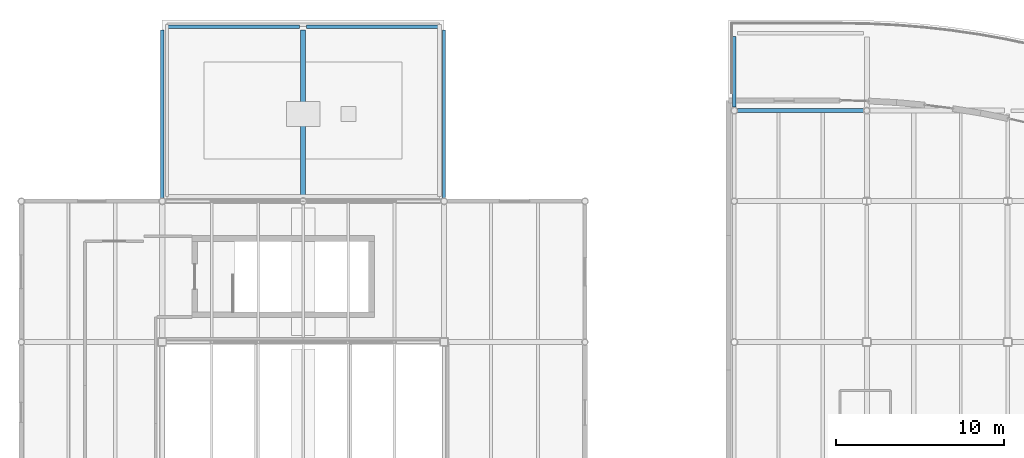
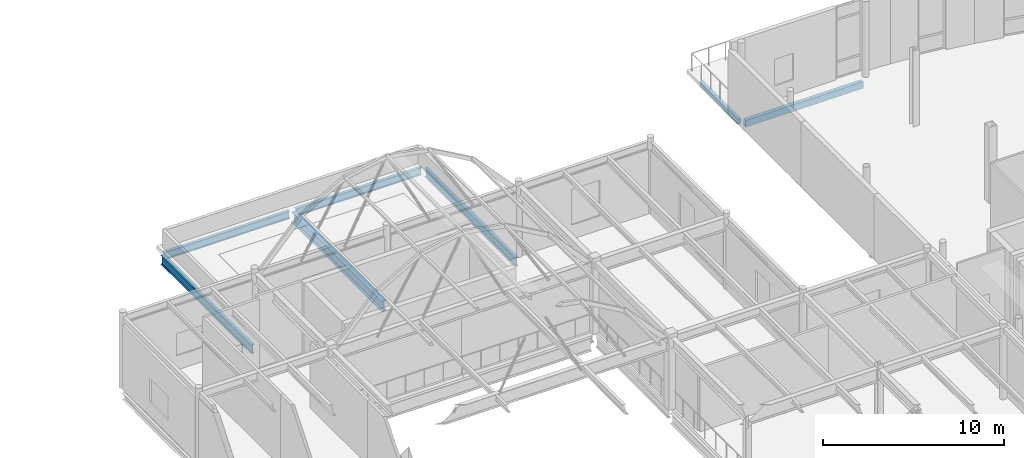
# One storey, part 35 of 103: 7 beams.
"""IFC4 building model written with IfcOpenShell, lengths in metres."""

from ifc_helpers import new_model, si_unit, direction, frame, origin, origin_2d, place, context, subcontext, project, spatial, hollow_rectangle, i_section, extrude, material, material_profile, profile_set, type_object, element, save


model = new_model("IFC4")

# Units and contexts
model_context = context("Model", 3, precision=1e-05, world=origin(), true_north=direction((0.0, 1.0)))
body_context = subcontext(model_context, "Body", "Model", "MODEL_VIEW")
ifc_project = project(units=[si_unit("LENGTHUNIT", "METRE"), si_unit("AREAUNIT", "SQUARE_METRE"), si_unit("VOLUMEUNIT", "CUBIC_METRE"), si_unit("PLANEANGLEUNIT", "RADIAN"), si_unit("MASSUNIT", "GRAM", prefix="KILO"), si_unit("THERMODYNAMICTEMPERATUREUNIT", "KELVIN")], contexts=[model_context])

# Site, building, storey
site_placement = place(None, origin())
site = spatial("IfcSite", under=ifc_project, at=site_placement, CompositionType="ELEMENT")
building_placement = place(site_placement, origin())
building = spatial("IfcBuilding", under=site, at=building_placement, Name="Lustrewick Department Store", CompositionType="ELEMENT")
storey_placement = place(building_placement, frame((0.0, 0.0, 16.5)))
storey = spatial("IfcBuildingStorey", under=building, at=storey_placement, Name="L04", CompositionType="ELEMENT", Elevation=16.5)

# Beams
ifc_material_1 = material(Name="Structural steel Q355C", Category="steel")
ifc_material_profile_1 = material_profile(ifc_material_1, i_section(OverallWidth=0.302001953125, OverallDepth=0.7080078125, WebThickness=0.014892578125, FlangeThickness=0.028076171875, FilletRadius=0.02001953125, at=origin_2d()), Name="HN 708x302x15x28")
ifc_profile_set_1 = profile_set([ifc_material_profile_1], Name="Structural steel Q355C")
beam_type_1 = type_object("IfcBeamType", Name="G07", PredefinedType="BEAM", material=ifc_profile_set_1)
beam_1_placement = place(storey_placement, frame((84.0, 101.050048828125, -0.60888671875), z_axis=(0.0, 1.0, 0.0), x_axis=(-1.0, 0.0, 0.0)))
element("IfcBeam", 1, at=beam_1_placement, inside=storey, type_object=beam_type_1, Name="L04 V2 Girder G07", PredefinedType="BEAM", context=body_context, shape_type="SweptSolid", body=[
    extrude(i_section(OverallWidth=0.302001953125, OverallDepth=0.7080078125, WebThickness=0.014892578125, FlangeThickness=0.028076171875, FilletRadius=0.02001953125, at=origin_2d()), origin(), (0.0, 0.0, 1.0), 9.947021484375),
])
ifc_material_2 = material(Name="Structural steel Q355B", Category="steel")
ifc_material_profile_2 = material_profile(ifc_material_2, i_section(OverallWidth=0.198974609375, OverallDepth=0.595947265625, WebThickness=0.010009765625, FlangeThickness=0.014892578125, FilletRadius=0.01806640625, at=origin_2d()), Name="HN 596x199x10x15")
ifc_profile_set_2 = profile_set([ifc_material_profile_2], Name="Structural steel Q355B")
beam_type_2 = type_object("IfcBeamType", Name="G15", PredefinedType="BEAM", material=ifc_profile_set_2)
for number, where, z_axis, x_axis, name in (
    (2, (75.60009765625, 101.0029296875, -0.552978515625), (0.0, 1.0, 0.0), (-1.0, 0.0, 0.0), "L04 V2 Girder G15"),
    (3, (92.39990234375, 101.0029296875, -0.552978515625), (0.0, 1.0, 0.0), (-1.0, 0.0, 0.0), "L04 V2 Girder G15"),
):
    element("IfcBeam", number, at=place(storey_placement, frame(where, z_axis=z_axis, x_axis=x_axis)), inside=storey, type_object=beam_type_2, Name=name, PredefinedType="BEAM", context=body_context, shape_type="SweptSolid", body=[
        extrude(i_section(OverallWidth=0.198974609375, OverallDepth=0.595947265625, WebThickness=0.010009765625, FlangeThickness=0.014892578125, FilletRadius=0.01806640625, at=origin_2d()), origin(), (0.0, 0.0, 1.0), 9.994140625),
    ])
ifc_material_profile_3 = material_profile(ifc_material_1, hollow_rectangle(XDim=0.25, YDim=0.449951171875, WallThickness=0.013916015625, at=origin_2d()), Name="RHS 450x250x14")
ifc_profile_set_3 = profile_set([ifc_material_profile_3], Name="Structural steel Q355C")
beam_type_3 = type_object("IfcBeamType", Name="G18", PredefinedType="BEAM", material=ifc_profile_set_3)
beam_2_placement = place(storey_placement, frame((109.903076171875, 106.199951171875, -0.47998046875), z_axis=(1.0, 0.0, 0.0), x_axis=(0.0, 1.0, 0.0)))
element("IfcBeam", 4, at=beam_2_placement, inside=storey, type_object=beam_type_3, Name="L04 V4 Girder G18", PredefinedType="BEAM", context=body_context, shape_type="SweptSolid", body=[
    extrude(hollow_rectangle(XDim=0.25, YDim=0.449951171875, WallThickness=0.013916015625, at=origin_2d()), origin(), (0.0, 0.0, 1.0), 7.495849609375),
])
ifc_material_profile_4 = material_profile(ifc_material_2, i_section(OverallWidth=0.200927734375, OverallDepth=0.506103515625, WebThickness=0.010986328125, FlangeThickness=0.01904296875, FilletRadius=0.01611328125, at=origin_2d()), Name="HN 506x201x11x19")
ifc_profile_set_4 = profile_set([ifc_material_profile_4], Name="Structural steel Q355B")
beam_type_4 = type_object("IfcBeamType", Name="SP01", PredefinedType="SPANDREL", material=ifc_profile_set_4)
for number, where, z_axis, x_axis, name in (
    (5, (75.802978515625, 111.199951171875, -0.508056640625), (1.0, 0.0, 0.0), (0.0, 1.0, 0.0), "L04 V2 Girder SP01"),
    (6, (84.202880859375, 111.199951171875, -0.508056640625), (1.0, 0.0, 0.0), (0.0, 1.0, 0.0), "L04 V2 Girder SP01"),
):
    element("IfcBeam", number, at=place(storey_placement, frame(where, z_axis=z_axis, x_axis=x_axis)), inside=storey, type_object=beam_type_4, Name=name, PredefinedType="SPANDREL", context=body_context, shape_type="SweptSolid", body=[
        extrude(i_section(OverallWidth=0.200927734375, OverallDepth=0.506103515625, WebThickness=0.010986328125, FlangeThickness=0.01904296875, FilletRadius=0.01611328125, at=origin_2d()), origin(), (0.0, 0.0, 1.0), 7.994140625),
    ])
ifc_material_profile_5 = material_profile(ifc_material_1, hollow_rectangle(XDim=0.199951171875, YDim=0.35009765625, WallThickness=0.011962890625, at=origin_2d()), Name="RHS 350x200x12")
ifc_profile_set_5 = profile_set([ifc_material_profile_5], Name="Structural steel Q355C")
beam_type_5 = type_object("IfcBeamType", Name="SP03", PredefinedType="SPANDREL", material=ifc_profile_set_5)
beam_3_placement = place(storey_placement, frame((109.699951171875, 106.403076171875, -0.429931640625), z_axis=(0.0, 1.0, 0.0), x_axis=(-1.0, 0.0, 0.0)))
element("IfcBeam", 7, at=beam_3_placement, inside=storey, type_object=beam_type_5, Name="L04 V4 Girder SP03", PredefinedType="SPANDREL", context=body_context, shape_type="SweptSolid", body=[
    extrude(hollow_rectangle(XDim=0.199951171875, YDim=0.35009765625, WallThickness=0.011962890625, at=origin_2d()), origin(), (0.0, 0.0, 1.0), 4.20849609375),
])

save(model, "model.ifc")
